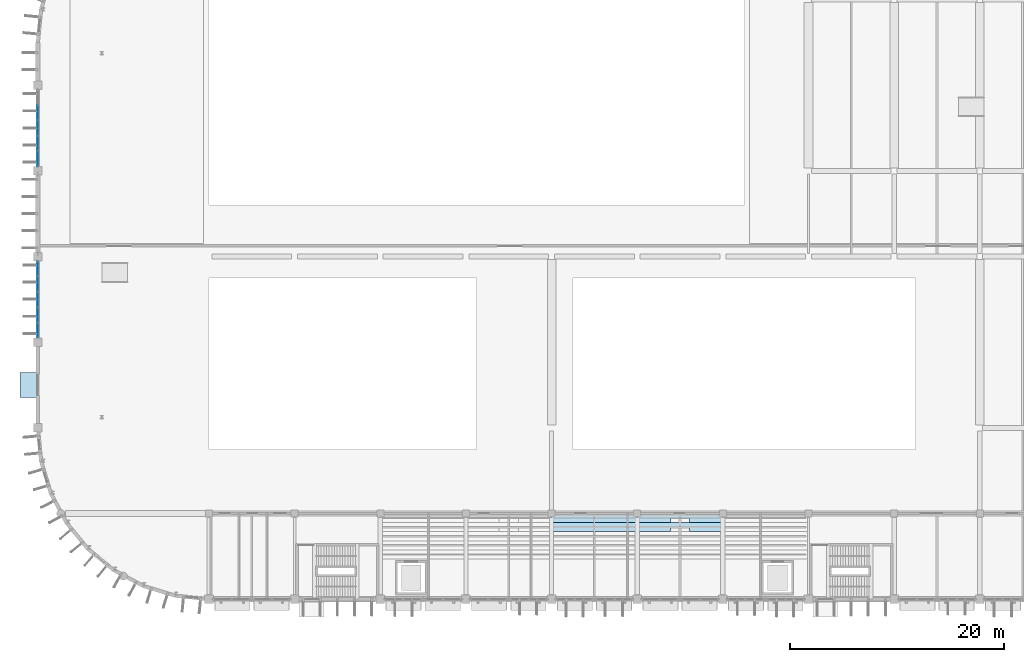
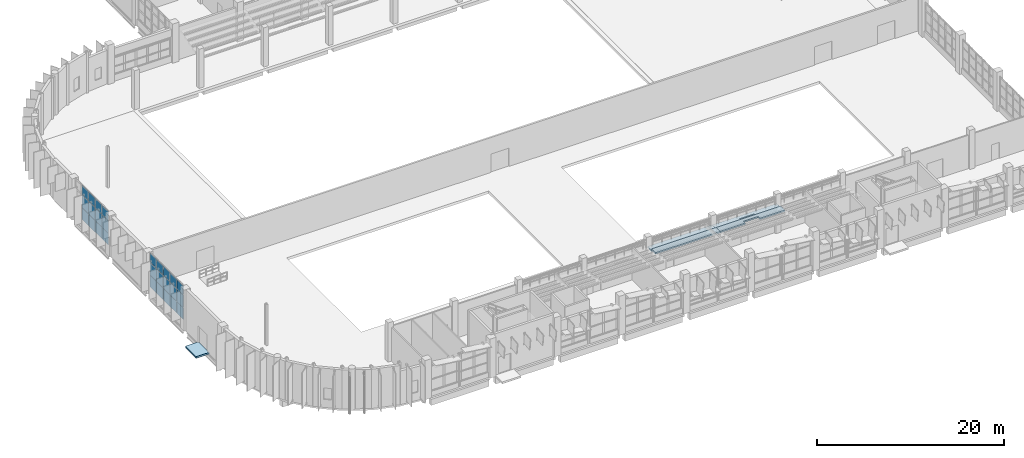
# One storey, part 53 of 103: 27 plates, 5 slabs, 2 elements without a shape of their own.
"""IFC4 building model written with IfcOpenShell, lengths in metres."""

from ifc_helpers import new_model, si_unit, direction, frame, origin, origin_2d, place, context, subcontext, project, spatial, polyline, rectangle, outline, extrude, material, layer, layer_set, type_object, element, aggregate, save


model = new_model("IFC4")

# Units and contexts
model_context = context("Model", 3, precision=1e-05, world=origin(), true_north=direction((0.0, 1.0)))
body_context = subcontext(model_context, "Body", "Model", "MODEL_VIEW")
ifc_project = project(units=[si_unit("LENGTHUNIT", "METRE"), si_unit("AREAUNIT", "SQUARE_METRE"), si_unit("VOLUMEUNIT", "CUBIC_METRE"), si_unit("PLANEANGLEUNIT", "RADIAN"), si_unit("MASSUNIT", "GRAM", prefix="KILO")], contexts=[model_context])

# Site, building, storey
site_placement = place(None, origin())
site = spatial("IfcSite", under=ifc_project, at=site_placement, CompositionType="ELEMENT")
building_placement = place(site_placement, origin())
building = spatial("IfcBuilding", under=site, at=building_placement, Name="Drelvana Railside Aquatics Centre", CompositionType="ELEMENT")
storey_placement = place(building_placement, origin())
storey = spatial("IfcBuildingStorey", under=building, at=storey_placement, Name="L00", CompositionType="ELEMENT", Elevation=0.0)

# Curtain wall, plates
ifc_material_1 = material(Name="Bronze-anodised aluminium curtain wall", Category="aluminium")
ifc_layer_1 = layer(ifc_material_1, 0.179931640625, Name="Bronze-anodised aluminium curtain wall")
ifc_layer_set_1 = layer_set([ifc_layer_1], Name="Bronze-anodised aluminium curtain wall")
curtain_wall_type = type_object("IfcCurtainWallType", Name="CW-Z2-CLER", PredefinedType="NOTDEFINED", material=ifc_layer_set_1)
curtain_wall_1_placement = place(storey_placement, origin())
curtain_wall_1 = element("IfcCurtainWall", 1, at=curtain_wall_1_placement, inside=storey, type_object=curtain_wall_type, Name="Curtain wall CW-02-045", PredefinedType="NOTDEFINED")
ifc_material_2 = material(Name="Double-glazed low-e solar-control glass", Category="glass")
ifc_layer_2 = layer(ifc_material_2, 0.028076171875, Name="Double-glazed low-e solar-control glass")
ifc_layer_set_2 = layer_set([ifc_layer_2], Name="Double-glazed low-e solar-control glass")
plate_type = type_object("IfcPlateType", Name="CW-Z2-CLER-PAN", PredefinedType="CURTAIN_PANEL", material=ifc_layer_set_2)
plate_1_placement = place(storey_placement, frame((0.0, 41.1328125, 0.904052734375), z_axis=(0.0, 0.0, 1.0), x_axis=(0.0, 1.0, 0.0)))
plate_1 = element("IfcPlate", 2, at=plate_1_placement, type_object=plate_type, Name="CW-02 panel 1.1", PredefinedType="CURTAIN_PANEL", context=body_context, shape_type="SweptSolid", body=[
    extrude(rectangle(XDim=1.347412109375, YDim=0.028076171875, at=origin_2d()), origin(), (0.0, 0.0, 1.0), 1.50341796875),
])
plate_2_placement = place(storey_placement, frame((0.0, 41.1328125, 2.46240234375), z_axis=(0.0, 0.0, 1.0), x_axis=(0.0, 1.0, 0.0)))
plate_2 = element("IfcPlate", 3, at=plate_2_placement, type_object=plate_type, Name="CW-02 panel 1.2", PredefinedType="CURTAIN_PANEL", context=body_context, shape_type="SweptSolid", body=[
    extrude(rectangle(XDim=1.347412109375, YDim=0.028076171875, at=origin_2d()), origin(), (0.0, 0.0, 1.0), 1.626953125),
])
plate_3_placement = place(storey_placement, frame((0.0, 41.1328125, 4.14453125), z_axis=(0.0, 0.0, 1.0), x_axis=(0.0, 1.0, 0.0)))
plate_3 = element("IfcPlate", 4, at=plate_3_placement, type_object=plate_type, Name="CW-02 panel 1.3", PredefinedType="CURTAIN_PANEL", context=body_context, shape_type="SweptSolid", body=[
    extrude(rectangle(XDim=1.347412109375, YDim=0.028076171875, at=origin_2d()), origin(), (0.0, 0.0, 1.0), 1.185546875),
])
plate_4_placement = place(storey_placement, frame((0.0, 42.5576171875, 0.904052734375), z_axis=(0.0, 0.0, 1.0), x_axis=(0.0, 1.0, 0.0)))
plate_4 = element("IfcPlate", 5, at=plate_4_placement, type_object=plate_type, Name="CW-02 panel 2.1", PredefinedType="CURTAIN_PANEL", context=body_context, shape_type="SweptSolid", body=[
    extrude(rectangle(XDim=1.38232421875, YDim=0.028076171875, at=origin_2d()), origin(), (0.0, 0.0, 1.0), 1.50341796875),
])
plate_5_placement = place(storey_placement, frame((0.0, 42.5576171875, 2.46240234375), z_axis=(0.0, 0.0, 1.0), x_axis=(0.0, 1.0, 0.0)))
plate_5 = element("IfcPlate", 6, at=plate_5_placement, type_object=plate_type, Name="CW-02 panel 2.2", PredefinedType="CURTAIN_PANEL", context=body_context, shape_type="SweptSolid", body=[
    extrude(rectangle(XDim=1.38232421875, YDim=0.028076171875, at=origin_2d()), origin(), (0.0, 0.0, 1.0), 1.626953125),
])
plate_6_placement = place(storey_placement, frame((0.0, 42.5576171875, 4.14453125), z_axis=(0.0, 0.0, 1.0), x_axis=(0.0, 1.0, 0.0)))
plate_6 = element("IfcPlate", 7, at=plate_6_placement, type_object=plate_type, Name="CW-02 panel 2.3", PredefinedType="CURTAIN_PANEL", context=body_context, shape_type="SweptSolid", body=[
    extrude(rectangle(XDim=1.38232421875, YDim=0.028076171875, at=origin_2d()), origin(), (0.0, 0.0, 1.0), 1.185546875),
])
plate_7_placement = place(storey_placement, frame((0.0, 44.0, 0.904052734375), z_axis=(0.0, 0.0, 1.0), x_axis=(0.0, 1.0, 0.0)))
plate_7 = element("IfcPlate", 8, at=plate_7_placement, type_object=plate_type, Name="CW-02 panel 3.1", PredefinedType="CURTAIN_PANEL", context=body_context, shape_type="SweptSolid", body=[
    extrude(rectangle(XDim=1.38232421875, YDim=0.028076171875, at=origin_2d()), origin(), (0.0, 0.0, 1.0), 1.50341796875),
])
plate_8_placement = place(storey_placement, frame((0.0, 44.0, 2.46240234375), z_axis=(0.0, 0.0, 1.0), x_axis=(0.0, 1.0, 0.0)))
plate_8 = element("IfcPlate", 9, at=plate_8_placement, type_object=plate_type, Name="CW-02 panel 3.2", PredefinedType="CURTAIN_PANEL", context=body_context, shape_type="SweptSolid", body=[
    extrude(rectangle(XDim=1.38232421875, YDim=0.028076171875, at=origin_2d()), origin(), (0.0, 0.0, 1.0), 1.626953125),
])
plate_9_placement = place(storey_placement, frame((0.0, 44.0, 4.14453125), z_axis=(0.0, 0.0, 1.0), x_axis=(0.0, 1.0, 0.0)))
plate_9 = element("IfcPlate", 10, at=plate_9_placement, type_object=plate_type, Name="CW-02 panel 3.3", PredefinedType="CURTAIN_PANEL", context=body_context, shape_type="SweptSolid", body=[
    extrude(rectangle(XDim=1.38232421875, YDim=0.028076171875, at=origin_2d()), origin(), (0.0, 0.0, 1.0), 1.185546875),
])
plate_10_placement = place(storey_placement, frame((0.0, 45.4423828125, 0.904052734375), z_axis=(0.0, 0.0, 1.0), x_axis=(0.0, 1.0, 0.0)))
plate_10 = element("IfcPlate", 11, at=plate_10_placement, type_object=plate_type, Name="CW-02 panel 4.1", PredefinedType="CURTAIN_PANEL", context=body_context, shape_type="SweptSolid", body=[
    extrude(rectangle(XDim=1.38232421875, YDim=0.028076171875, at=origin_2d()), origin(), (0.0, 0.0, 1.0), 1.50341796875),
])
plate_11_placement = place(storey_placement, frame((0.0, 45.4423828125, 2.46240234375), z_axis=(0.0, 0.0, 1.0), x_axis=(0.0, 1.0, 0.0)))
plate_11 = element("IfcPlate", 12, at=plate_11_placement, type_object=plate_type, Name="CW-02 panel 4.2", PredefinedType="CURTAIN_PANEL", context=body_context, shape_type="SweptSolid", body=[
    extrude(rectangle(XDim=1.38232421875, YDim=0.028076171875, at=origin_2d()), origin(), (0.0, 0.0, 1.0), 1.626953125),
])
plate_12_placement = place(storey_placement, frame((0.0, 45.4423828125, 4.14453125), z_axis=(0.0, 0.0, 1.0), x_axis=(0.0, 1.0, 0.0)))
plate_12 = element("IfcPlate", 13, at=plate_12_placement, type_object=plate_type, Name="CW-02 panel 4.3", PredefinedType="CURTAIN_PANEL", context=body_context, shape_type="SweptSolid", body=[
    extrude(rectangle(XDim=1.38232421875, YDim=0.028076171875, at=origin_2d()), origin(), (0.0, 0.0, 1.0), 1.185546875),
])
plate_13_placement = place(storey_placement, frame((0.0, 46.8671875, 0.904052734375), z_axis=(0.0, 0.0, 1.0), x_axis=(0.0, 1.0, 0.0)))
plate_13 = element("IfcPlate", 14, at=plate_13_placement, type_object=plate_type, Name="CW-02 panel 5.1", PredefinedType="CURTAIN_PANEL", context=body_context, shape_type="SweptSolid", body=[
    extrude(rectangle(XDim=1.347412109375, YDim=0.028076171875, at=origin_2d()), origin(), (0.0, 0.0, 1.0), 1.50341796875),
])
plate_14_placement = place(storey_placement, frame((0.0, 46.8671875, 2.46240234375), z_axis=(0.0, 0.0, 1.0), x_axis=(0.0, 1.0, 0.0)))
plate_14 = element("IfcPlate", 15, at=plate_14_placement, type_object=plate_type, Name="CW-02 panel 5.2", PredefinedType="CURTAIN_PANEL", context=body_context, shape_type="SweptSolid", body=[
    extrude(rectangle(XDim=1.347412109375, YDim=0.028076171875, at=origin_2d()), origin(), (0.0, 0.0, 1.0), 1.626953125),
])
plate_15_placement = place(storey_placement, frame((0.0, 46.8671875, 4.14453125), z_axis=(0.0, 0.0, 1.0), x_axis=(0.0, 1.0, 0.0)))
plate_15 = element("IfcPlate", 16, at=plate_15_placement, type_object=plate_type, Name="CW-02 panel 5.3", PredefinedType="CURTAIN_PANEL", context=body_context, shape_type="SweptSolid", body=[
    extrude(rectangle(XDim=1.347412109375, YDim=0.028076171875, at=origin_2d()), origin(), (0.0, 0.0, 1.0), 1.185546875),
])
aggregate(curtain_wall_1, [plate_1, plate_2, plate_3, plate_4, plate_5, plate_6, plate_7, plate_8, plate_9, plate_10, plate_11, plate_12, plate_13, plate_14, plate_15])

curtain_wall_2_placement = place(storey_placement, origin())
curtain_wall_2 = element("IfcCurtainWall", 17, at=curtain_wall_2_placement, inside=storey, type_object=curtain_wall_type, Name="Curtain wall CW-02-050", PredefinedType="NOTDEFINED")
plate_16_placement = place(storey_placement, frame((0.0, 57.1328125, 0.904052734375), z_axis=(0.0, 0.0, 1.0), x_axis=(0.0, 1.0, 0.0)))
plate_16 = element("IfcPlate", 18, at=plate_16_placement, type_object=plate_type, Name="CW-02 panel 1.1", PredefinedType="CURTAIN_PANEL", context=body_context, shape_type="SweptSolid", body=[
    extrude(rectangle(XDim=1.347412109375, YDim=0.028076171875, at=origin_2d()), origin(), (0.0, 0.0, 1.0), 1.50341796875),
])
plate_17_placement = place(storey_placement, frame((0.0, 57.1328125, 2.46240234375), z_axis=(0.0, 0.0, 1.0), x_axis=(0.0, 1.0, 0.0)))
plate_17 = element("IfcPlate", 19, at=plate_17_placement, type_object=plate_type, Name="CW-02 panel 1.2", PredefinedType="CURTAIN_PANEL", context=body_context, shape_type="SweptSolid", body=[
    extrude(rectangle(XDim=1.347412109375, YDim=0.028076171875, at=origin_2d()), origin(), (0.0, 0.0, 1.0), 1.626953125),
])
plate_18_placement = place(storey_placement, frame((0.0, 57.1328125, 4.14453125), z_axis=(0.0, 0.0, 1.0), x_axis=(0.0, 1.0, 0.0)))
plate_18 = element("IfcPlate", 20, at=plate_18_placement, type_object=plate_type, Name="CW-02 panel 1.3", PredefinedType="CURTAIN_PANEL", context=body_context, shape_type="SweptSolid", body=[
    extrude(rectangle(XDim=1.347412109375, YDim=0.028076171875, at=origin_2d()), origin(), (0.0, 0.0, 1.0), 1.185546875),
])
plate_19_placement = place(storey_placement, frame((0.0, 58.5576171875, 0.904052734375), z_axis=(0.0, 0.0, 1.0), x_axis=(0.0, 1.0, 0.0)))
plate_19 = element("IfcPlate", 21, at=plate_19_placement, type_object=plate_type, Name="CW-02 panel 2.1", PredefinedType="CURTAIN_PANEL", context=body_context, shape_type="SweptSolid", body=[
    extrude(rectangle(XDim=1.38232421875, YDim=0.028076171875, at=origin_2d()), origin(), (0.0, 0.0, 1.0), 1.50341796875),
])
plate_20_placement = place(storey_placement, frame((0.0, 58.5576171875, 2.46240234375), z_axis=(0.0, 0.0, 1.0), x_axis=(0.0, 1.0, 0.0)))
plate_20 = element("IfcPlate", 22, at=plate_20_placement, type_object=plate_type, Name="CW-02 panel 2.2", PredefinedType="CURTAIN_PANEL", context=body_context, shape_type="SweptSolid", body=[
    extrude(rectangle(XDim=1.38232421875, YDim=0.028076171875, at=origin_2d()), origin(), (0.0, 0.0, 1.0), 1.626953125),
])
plate_21_placement = place(storey_placement, frame((0.0, 58.5576171875, 4.14453125), z_axis=(0.0, 0.0, 1.0), x_axis=(0.0, 1.0, 0.0)))
plate_21 = element("IfcPlate", 23, at=plate_21_placement, type_object=plate_type, Name="CW-02 panel 2.3", PredefinedType="CURTAIN_PANEL", context=body_context, shape_type="SweptSolid", body=[
    extrude(rectangle(XDim=1.38232421875, YDim=0.028076171875, at=origin_2d()), origin(), (0.0, 0.0, 1.0), 1.185546875),
])
plate_22_placement = place(storey_placement, frame((0.0, 60.0, 0.904052734375), z_axis=(0.0, 0.0, 1.0), x_axis=(0.0, 1.0, 0.0)))
plate_22 = element("IfcPlate", 24, at=plate_22_placement, type_object=plate_type, Name="CW-02 panel 3.1", PredefinedType="CURTAIN_PANEL", context=body_context, shape_type="SweptSolid", body=[
    extrude(rectangle(XDim=1.38232421875, YDim=0.028076171875, at=origin_2d()), origin(), (0.0, 0.0, 1.0), 1.50341796875),
])
plate_23_placement = place(storey_placement, frame((0.0, 60.0, 2.46240234375), z_axis=(0.0, 0.0, 1.0), x_axis=(0.0, 1.0, 0.0)))
plate_23 = element("IfcPlate", 25, at=plate_23_placement, type_object=plate_type, Name="CW-02 panel 3.2", PredefinedType="CURTAIN_PANEL", context=body_context, shape_type="SweptSolid", body=[
    extrude(rectangle(XDim=1.38232421875, YDim=0.028076171875, at=origin_2d()), origin(), (0.0, 0.0, 1.0), 1.626953125),
])
plate_24_placement = place(storey_placement, frame((0.0, 60.0, 4.14453125), z_axis=(0.0, 0.0, 1.0), x_axis=(0.0, 1.0, 0.0)))
plate_24 = element("IfcPlate", 26, at=plate_24_placement, type_object=plate_type, Name="CW-02 panel 3.3", PredefinedType="CURTAIN_PANEL", context=body_context, shape_type="SweptSolid", body=[
    extrude(rectangle(XDim=1.38232421875, YDim=0.028076171875, at=origin_2d()), origin(), (0.0, 0.0, 1.0), 1.185546875),
])
plate_25_placement = place(storey_placement, frame((0.0, 61.4423828125, 0.904052734375), z_axis=(0.0, 0.0, 1.0), x_axis=(0.0, 1.0, 0.0)))
plate_25 = element("IfcPlate", 27, at=plate_25_placement, type_object=plate_type, Name="CW-02 panel 4.1", PredefinedType="CURTAIN_PANEL", context=body_context, shape_type="SweptSolid", body=[
    extrude(rectangle(XDim=1.38232421875, YDim=0.028076171875, at=origin_2d()), origin(), (0.0, 0.0, 1.0), 1.50341796875),
])
plate_26_placement = place(storey_placement, frame((0.0, 61.4423828125, 2.46240234375), z_axis=(0.0, 0.0, 1.0), x_axis=(0.0, 1.0, 0.0)))
plate_26 = element("IfcPlate", 28, at=plate_26_placement, type_object=plate_type, Name="CW-02 panel 4.2", PredefinedType="CURTAIN_PANEL", context=body_context, shape_type="SweptSolid", body=[
    extrude(rectangle(XDim=1.38232421875, YDim=0.028076171875, at=origin_2d()), origin(), (0.0, 0.0, 1.0), 1.626953125),
])
plate_27_placement = place(storey_placement, frame((0.0, 61.4423828125, 4.14453125), z_axis=(0.0, 0.0, 1.0), x_axis=(0.0, 1.0, 0.0)))
plate_27 = element("IfcPlate", 29, at=plate_27_placement, type_object=plate_type, Name="CW-02 panel 4.3", PredefinedType="CURTAIN_PANEL", context=body_context, shape_type="SweptSolid", body=[
    extrude(rectangle(XDim=1.38232421875, YDim=0.028076171875, at=origin_2d()), origin(), (0.0, 0.0, 1.0), 1.185546875),
])
aggregate(curtain_wall_2, [plate_16, plate_17, plate_18, plate_19, plate_20, plate_21, plate_22, plate_23, plate_24, plate_25, plate_26, plate_27])

# Slabs
ifc_material_3 = material(Name="Precast concrete C40/50", Category="concrete")
ifc_layer_3 = layer(ifc_material_3, 0.2099609375, Name="Precast concrete C40/50")
ifc_layer_set_3 = layer_set([ifc_layer_3], Name="Precast concrete C40/50")
slab_type_1 = type_object("IfcSlabType", Name="SL-PAV-210", PredefinedType="BASESLAB", material=ifc_layer_set_3)
slab_1_placement = place(storey_placement, frame((0.0, 0.0, -0.2099609375)))
element("IfcSlab", 30, at=slab_1_placement, inside=storey, type_object=slab_type_1, Name="Exterior threshold landing apron 006", PredefinedType="BASESLAB", context=body_context, shape_type="SweptSolid", body=[
    extrude(outline(polyline([(-1.655029296875, 34.85009765625), (-0.0048828125, 34.85009765625), (-0.0048828125, 37.14990234375), (-1.655029296875, 37.14990234375), (-1.655029296875, 34.85009765625)])), origin(), (0.0, 0.0, 1.0), 0.2099609375),
])
ifc_layer_4 = layer(ifc_material_3, 0.195068359375, Name="Precast concrete C40/50")
ifc_layer_set_4 = layer_set([ifc_layer_4], Name="Precast concrete C40/50")
slab_type_2 = type_object("IfcSlabType", Name="SL-TIER-195", PredefinedType="USERDEFINED", material=ifc_layer_set_4)
slab_2_placement = place(storey_placement, frame((0.0, 0.0, 3.466796875)))
element("IfcSlab", 31, at=slab_2_placement, inside=storey, type_object=slab_type_2, Name="Stand Lower Tier S Bay 3 Row 1", ObjectType="SEATING TIER", PredefinedType="USERDEFINED", context=body_context, shape_type="SweptSolid", body=[
    extrude(outline(polyline([(48.0, 23.14990234375), (56.0, 23.14990234375), (56.0, 24.0), (48.0, 24.0), (48.0, 23.14990234375)])), origin(), (0.0, 0.0, 1.0), 0.195068359375),
])
slab_3_placement = place(storey_placement, frame((0.0, 0.0, 3.650634765625)))
element("IfcSlab", 32, at=slab_3_placement, inside=storey, type_object=slab_type_2, Name="Stand Lower Tier S Bay 3 Row 2", ObjectType="SEATING TIER", PredefinedType="USERDEFINED", context=body_context, shape_type="SweptSolid", body=[
    extrude(outline(polyline([(48.0, 22.300048828125), (56.0, 22.300048828125), (56.0, 23.14990234375), (48.0, 23.14990234375), (48.0, 22.300048828125)])), origin(), (0.0, 0.0, 1.0), 0.195068359375),
])
slab_4_placement = place(storey_placement, frame((0.0, 0.0, 3.466796875)))
element("IfcSlab", 33, at=slab_4_placement, inside=storey, type_object=slab_type_2, Name="Stand Lower Tier Vomitory S Bay 4 Row 1", ObjectType="SEATING TIER", PredefinedType="USERDEFINED", context=body_context, shape_type="SweptSolid", body=[
    extrude(outline(polyline([(56.0, 23.14990234375), (59.10009765625, 23.14990234375), (59.10009765625, 23.530029296875), (60.89990234375, 23.530029296875), (60.89990234375, 23.14990234375), (64.0, 23.14990234375), (64.0, 24.0), (56.0, 24.0), (56.0, 23.14990234375)])), origin(), (0.0, 0.0, 1.0), 0.195068359375),
])
slab_5_placement = place(storey_placement, frame((0.0, 0.0, 3.650634765625)))
element("IfcSlab", 34, at=slab_5_placement, inside=storey, type_object=slab_type_2, Name="Stand Lower Tier Vomitory S Bay 4 Row 2", ObjectType="SEATING TIER", PredefinedType="USERDEFINED", context=body_context, shape_type="SweptSolid", body=[
    extrude(outline(polyline([(56.0, 22.300048828125), (59.10009765625, 22.300048828125), (59.10009765625, 22.679931640625), (60.89990234375, 22.679931640625), (60.89990234375, 22.300048828125), (64.0, 22.300048828125), (64.0, 23.14990234375), (56.0, 23.14990234375), (56.0, 22.300048828125)])), origin(), (0.0, 0.0, 1.0), 0.195068359375),
])

save(model, "model.ifc")
